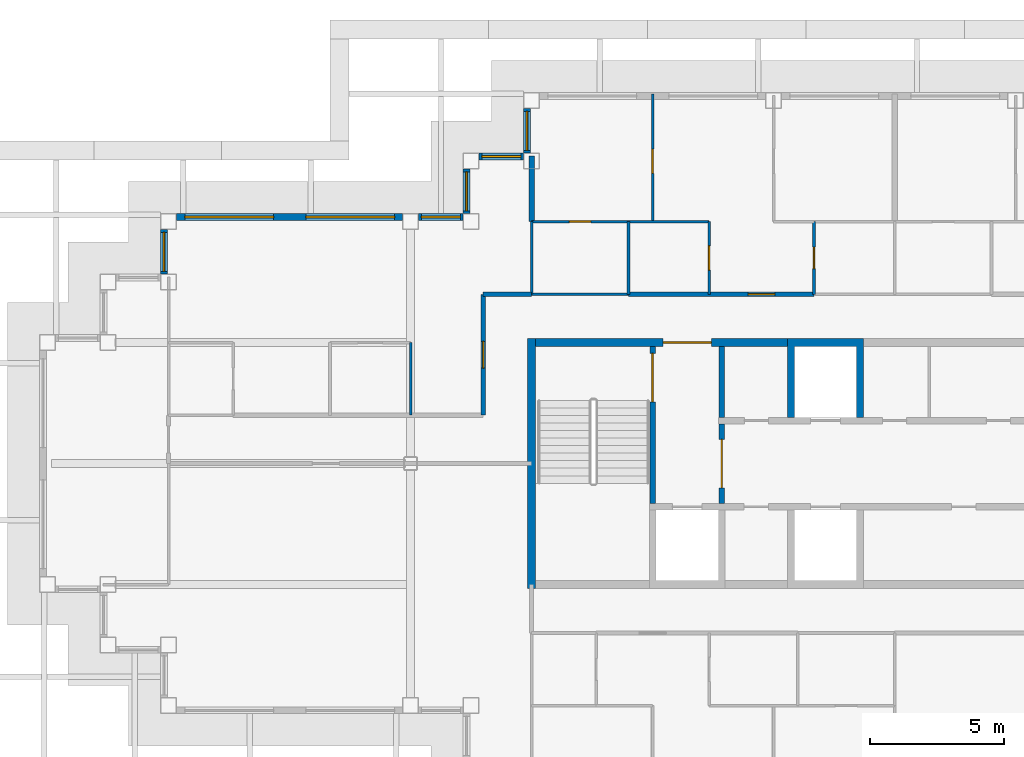
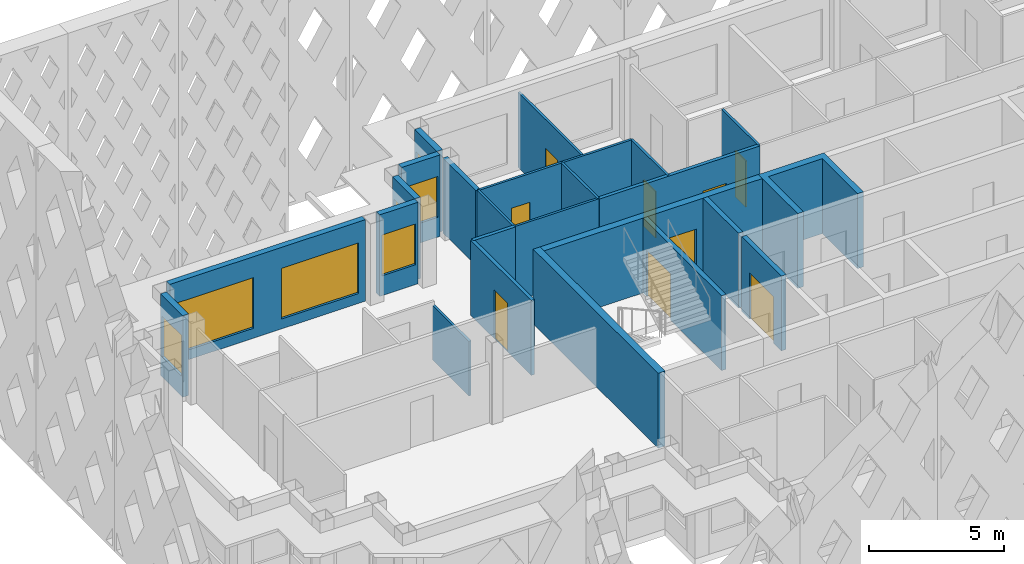
# One storey, part 3 of 15: 25 walls, 9 doors, 7 windows, 16 openings.
"""IFC4 building model written with IfcOpenShell, lengths in metres."""

from ifc_helpers import new_model, si_unit, direction, frame, frame_2d, origin, place, context, subcontext, project, spatial, polyline, rectangle, outline, extrude, material, layer, layer_set, type_object, element, fill, save


model = new_model("IFC4")

# Units and contexts
model_context = context("Model", 3, precision=1e-05, world=origin(), true_north=direction((0.0, 1.0)))
body_context = subcontext(model_context, "Body", "Model", "MODEL_VIEW")
ifc_project = project(units=[si_unit("LENGTHUNIT", "METRE"), si_unit("AREAUNIT", "SQUARE_METRE"), si_unit("VOLUMEUNIT", "CUBIC_METRE"), si_unit("PLANEANGLEUNIT", "RADIAN"), si_unit("MASSUNIT", "GRAM", prefix="KILO")], contexts=[model_context])

# Site, building, storey
site_placement = place(None, origin())
site = spatial("IfcSite", under=ifc_project, at=site_placement, CompositionType="ELEMENT")
building_placement = place(site_placement, origin())
building = spatial("IfcBuilding", under=site, at=building_placement, Name="Caravel Reach Hotel and Residences", CompositionType="ELEMENT")
storey_placement = place(building_placement, frame((0.0, 0.0, 237.89990234375)))
storey = spatial("IfcBuildingStorey", under=building, at=storey_placement, Name="L60", CompositionType="ELEMENT", Elevation=237.89990234375)

# Wall
ifc_material_1 = material(Name="Gypsum board on steel stud", Category="steel")
ifc_layer_1 = layer(ifc_material_1, 0.10009765625)
ifc_layer_set_1 = layer_set([ifc_layer_1], Name="Bathroom pod wall 100 mm")
wall_type_1 = type_object("IfcWallType", Name="Bathroom pod wall 100 mm", PredefinedType="PARTITIONING", material=ifc_layer_set_1)
wall_1_placement = place(storey_placement, frame((18.0, 33.300048828125, 0.0), z_axis=(0.0, 0.0, 1.0), x_axis=(1.0, 0.0, 0.0)))
element("IfcWall", 1, at=wall_1_placement, inside=storey, type_object=wall_type_1, Name="L60 wall w058", PredefinedType="PARTITIONING", context=body_context, shape_type="SweptSolid", body=[
    extrude(rectangle(XDim=3.60009765625, YDim=0.10009765625, at=frame_2d((1.800048828125, 0.0))), origin(), (0.0, 0.0, 1.0), 3.400146484375),
])

# Wall, opening, door
wall_2_placement = place(storey_placement, frame((18.0, 36.0, 0.0), z_axis=(0.0, 0.0, 1.0), x_axis=(1.0, 0.0, 0.0)))
wall_2 = element("IfcWall", 2, at=wall_2_placement, inside=storey, type_object=wall_type_1, Name="L60 wall w063", PredefinedType="PARTITIONING", context=body_context, shape_type="SweptSolid", body=[
    extrude(rectangle(XDim=3.60009765625, YDim=0.10009765625, at=frame_2d((1.800048828125, 0.0))), origin(), (0.0, 0.0, 1.0), 3.400146484375),
])
opening_1_placement = place(wall_2_placement, frame((1.39990234375, 0.0, 0.0)))
opening_1 = element("IfcOpeningElement", 3, at=opening_1_placement, cuts=wall_2, Name="Opening D60-017", PredefinedType="OPENING", context=body_context, shape_type="SweptSolid", body=[
    extrude(rectangle(XDim=0.800048828125, YDim=2.10009765625, at=frame_2d((0.39990234375, 1.050048828125))), frame((0.0, 0.06005859375, 0.0), z_axis=(0.0, -1.0, 0.0), x_axis=(1.0, 0.0, 0.0)), (0.0, 0.0, 1.0), 0.1201171875),
])
ifc_material_2 = material(Name="Timber and steel door leaf", Category="steel")
door_type_1 = type_object("IfcDoorType", Name="Bathroom door 800 x 2100", OperationType="SINGLE_SWING_LEFT", PredefinedType="DOOR", material=ifc_material_2)
door_1_placement = place(opening_1_placement, origin())
door_1 = element("IfcDoor", 4, at=door_1_placement, inside=storey, type_object=door_type_1, Name="door D60-017", OperationType="SINGLE_SWING_RIGHT", OverallHeight=2.10009765625, OverallWidth=0.800048828125, PredefinedType="DOOR", context=body_context, shape_type="SweptSolid", body=[
    extrude(rectangle(XDim=0.800048828125, YDim=2.10009765625, at=frame_2d((0.39990234375, 1.050048828125))), frame((0.0, 0.02490234375, 0.0), z_axis=(0.0, -1.0, 0.0), x_axis=(1.0, 0.0, 0.0)), (0.0, 0.0, 1.0), 0.050048828125),
])
fill(opening_1, door_1)

# Walls
wall_3_placement = place(storey_placement, frame((18.0, 33.301025390625, 0.0), z_axis=(0.0, 0.0, 1.0), x_axis=(0.0, 1.0, 0.0)))
element("IfcWall", 5, at=wall_3_placement, inside=storey, type_object=wall_type_1, Name="L60 wall w066", PredefinedType="PARTITIONING", context=body_context, shape_type="SweptSolid", body=[
    extrude(rectangle(XDim=2.698974609375, YDim=0.10009765625, at=frame_2d((1.349609375, 0.0))), origin(), (0.0, 0.0, 1.0), 3.400146484375),
])
wall_4_placement = place(storey_placement, frame((21.60009765625, 33.300048828125, 0.0), z_axis=(0.0, 0.0, 1.0), x_axis=(0.0, 1.0, 0.0)))
element("IfcWall", 6, at=wall_4_placement, inside=storey, type_object=wall_type_1, Name="L60 wall w069", PredefinedType="PARTITIONING", context=body_context, shape_type="SweptSolid", body=[
    extrude(rectangle(XDim=2.699951171875, YDim=0.10009765625, at=frame_2d((1.35009765625, 0.0))), origin(), (0.0, 0.0, 1.0), 3.400146484375),
])

# Wall, opening, door
wall_5_placement = place(storey_placement, frame((28.5, 33.300048828125, 0.0), z_axis=(0.0, 0.0, 1.0), x_axis=(0.0, 1.0, 0.0)))
wall_5 = element("IfcWall", 7, at=wall_5_placement, inside=storey, type_object=wall_type_1, Name="L60 wall w071", PredefinedType="PARTITIONING", context=body_context, shape_type="SweptSolid", body=[
    extrude(rectangle(XDim=2.699951171875, YDim=0.10009765625, at=frame_2d((1.35009765625, 0.0))), origin(), (0.0, 0.0, 1.0), 3.400146484375),
])
opening_2_placement = place(wall_5_placement, frame((0.949951171875, 0.0, 0.0)))
opening_2 = element("IfcOpeningElement", 8, at=opening_2_placement, cuts=wall_5, Name="Opening D60-019", PredefinedType="OPENING", context=body_context, shape_type="SweptSolid", body=[
    extrude(rectangle(XDim=0.800048828125, YDim=2.10009765625, at=frame_2d((0.39990234375, 1.050048828125))), frame((0.0, 0.06005859375, 0.0), z_axis=(0.0, -1.0, 0.0), x_axis=(1.0, 0.0, 0.0)), (0.0, 0.0, 1.0), 0.1201171875),
])
door_2_placement = place(opening_2_placement, origin())
door_2 = element("IfcDoor", 9, at=door_2_placement, inside=storey, type_object=door_type_1, Name="door D60-019", OperationType="SINGLE_SWING_RIGHT", OverallHeight=2.10009765625, OverallWidth=0.800048828125, PredefinedType="DOOR", context=body_context, shape_type="SweptSolid", body=[
    extrude(rectangle(XDim=0.800048828125, YDim=2.10009765625, at=frame_2d((0.39990234375, 1.050048828125))), frame((0.0, 0.02490234375, 0.0), z_axis=(0.0, -1.0, 0.0), x_axis=(1.0, 0.0, 0.0)), (0.0, 0.0, 1.0), 0.050048828125),
])
fill(opening_2, door_2)

# Wall
ifc_material_3 = material(Name="Autoclaved aerated block wall")
ifc_layer_2 = layer(ifc_material_3, 0.199951171875)
ifc_layer_set_2 = layer_set([ifc_layer_2], Name="Compartment wall 200 mm EI 120")
wall_type_2 = type_object("IfcWallType", Name="Compartment wall 200 mm EI 120", PredefinedType="PARTITIONING", material=ifc_layer_set_2)
wall_6_placement = place(storey_placement, frame((25.071533203125, 28.72509765625, 0.0), z_axis=(0.0, 0.0, 1.0), x_axis=(0.0, 1.0, 0.0)))
element("IfcWall", 10, at=wall_6_placement, inside=storey, type_object=wall_type_2, Name="L60 store partition", PredefinedType="PARTITIONING", context=body_context, shape_type="SweptSolid", body=[
    extrude(rectangle(XDim=2.625, YDim=0.199951171875, at=frame_2d((1.3125, 0.0))), origin(), (0.0, 0.0, 1.0), 3.400146484375),
])

# Wall, opening, door
ifc_material_4 = material(Name="Concrete C60", Category="concrete")
ifc_layer_3 = layer(ifc_material_4, 0.300048828125)
ifc_layer_set_3 = layer_set([ifc_layer_3], Name="Core wall 300 mm EI 120")
wall_type_3 = type_object("IfcWallType", Name="Core wall 300 mm EI 120", PredefinedType="SHEAR", material=ifc_layer_set_3)
wall_7_placement = place(storey_placement, frame((18.14990234375, 31.5, 0.0), z_axis=(0.0, 0.0, 1.0), x_axis=(1.0, 0.0, 0.0)))
wall_7 = element("IfcWall", 11, at=wall_7_placement, inside=storey, type_object=wall_type_3, Name="L60 core wall N1", PredefinedType="SHEAR", context=body_context, shape_type="SweptSolid", body=[
    extrude(rectangle(XDim=9.367919921875, YDim=0.300048828125, at=frame_2d((4.68408203125, 0.0))), origin(), (0.0, 0.0, 1.0), 3.400146484375),
])
opening_3_placement = place(wall_7_placement, frame((4.735595703125, 0.0, 0.0)))
opening_3 = element("IfcOpeningElement", 12, at=opening_3_placement, cuts=wall_7, Name="Opening D60-014", PredefinedType="OPENING", context=body_context, shape_type="SweptSolid", body=[
    extrude(rectangle(XDim=1.800048828125, YDim=2.10009765625, at=frame_2d((0.89990234375, 1.050048828125))), frame((0.0, 0.159912109375, 0.0), z_axis=(0.0, -1.0, 0.0), x_axis=(1.0, 0.0, 0.0)), (0.0, 0.0, 1.0), 0.320068359375),
])
ifc_material_5 = material(Name="Steel fire door leaf", Category="steel")
door_type_2 = type_object("IfcDoorType", Name="Fire lobby door pair 1800 x 2100 EI 90", OperationType="DOUBLE_DOOR_SINGLE_SWING", PredefinedType="DOOR", material=ifc_material_5)
door_3_placement = place(opening_3_placement, origin())
door_3 = element("IfcDoor", 13, at=door_3_placement, inside=storey, type_object=door_type_2, Name="lobby N door pair to corridor", OperationType="DOUBLE_DOOR_SINGLE_SWING", OverallHeight=2.10009765625, OverallWidth=1.800048828125, PredefinedType="DOOR", context=body_context, shape_type="SweptSolid", body=[
    extrude(rectangle(XDim=1.800048828125, YDim=2.10009765625, at=frame_2d((0.89990234375, 1.050048828125))), frame((0.0, 0.02490234375, 0.0), z_axis=(0.0, -1.0, 0.0), x_axis=(1.0, 0.0, 0.0)), (0.0, 0.0, 1.0), 0.050048828125),
])
fill(opening_3, door_3)

# Wall
wall_8_placement = place(storey_placement, frame((18.0, 22.35009765625, 0.0), z_axis=(0.0, 0.0, 1.0), x_axis=(0.0, 1.0, 0.0)))
element("IfcWall", 14, at=wall_8_placement, inside=storey, type_object=wall_type_3, Name="L60 core wall W", PredefinedType="SHEAR", context=body_context, shape_type="SweptSolid", body=[
    extrude(rectangle(XDim=9.2998046875, YDim=0.300048828125, at=frame_2d((4.64990234375, 0.0))), origin(), (0.0, 0.0, 1.0), 3.400146484375),
])

# Wall, opening, door
ifc_material_6 = material(Name="Gypsum board on steel stud, fire-rated", Category="steel")
ifc_layer_4 = layer(ifc_material_6, 0.14990234375)
ifc_layer_set_4 = layer_set([ifc_layer_4], Name="Corridor wall 150 mm EI 60")
wall_type_4 = type_object("IfcWallType", Name="Corridor wall 150 mm EI 60", PredefinedType="PARTITIONING", material=ifc_layer_set_4)
wall_9_placement = place(storey_placement, frame((21.60009765625, 33.300048828125, 0.0), z_axis=(0.0, 0.0, 1.0), x_axis=(1.0, 0.0, 0.0)))
wall_9 = element("IfcWall", 15, at=wall_9_placement, inside=storey, type_object=wall_type_4, Name="L60 wall w011", PredefinedType="PARTITIONING", context=body_context, shape_type="SweptSolid", body=[
    extrude(rectangle(XDim=6.89990234375, YDim=0.14990234375, at=frame_2d((3.449951171875, 0.0))), origin(), (0.0, 0.0, 1.0), 3.400146484375),
])
opening_4_placement = place(wall_9_placement, frame((4.449951171875, 0.0, 0.0)))
opening_4 = element("IfcOpeningElement", 16, at=opening_4_placement, cuts=wall_9, Name="Opening D60-016", PredefinedType="OPENING", context=body_context, shape_type="SweptSolid", body=[
    extrude(rectangle(XDim=1.0, YDim=2.199951171875, at=frame_2d((0.5, 1.10009765625))), frame((0.0, 0.0849609375, 0.0), z_axis=(0.0, -1.0, 0.0), x_axis=(1.0, 0.0, 0.0)), (0.0, 0.0, 1.0), 0.169921875),
])
ifc_material_7 = material(Name="Steel fire door leaf", Category="steel")
door_type_3 = type_object("IfcDoorType", Name="Flat entrance door 1000 x 2200 EI 60", OperationType="SINGLE_SWING_LEFT", PredefinedType="DOOR", material=ifc_material_7)
door_4_placement = place(opening_4_placement, origin())
door_4 = element("IfcDoor", 17, at=door_4_placement, inside=storey, type_object=door_type_3, Name="door D60-016", OperationType="SINGLE_SWING_RIGHT", OverallHeight=2.199951171875, OverallWidth=1.0, PredefinedType="DOOR", context=body_context, shape_type="SweptSolid", body=[
    extrude(rectangle(XDim=1.0, YDim=2.199951171875, at=frame_2d((0.5, 1.10009765625))), frame((0.0, 0.02490234375, 0.0), z_axis=(0.0, -1.0, 0.0), x_axis=(1.0, 0.0, 0.0)), (0.0, 0.0, 1.0), 0.050048828125),
])
fill(opening_4, door_4)

# Wall
wall_10_placement = place(storey_placement, frame((16.199951171875, 33.300048828125, 0.0), z_axis=(0.0, 0.0, 1.0), x_axis=(1.0, 0.0, 0.0)))
element("IfcWall", 18, at=wall_10_placement, inside=storey, type_object=wall_type_4, Name="L60 wall w014", PredefinedType="PARTITIONING", context=body_context, shape_type="SweptSolid", body=[
    extrude(rectangle(XDim=1.799072265625, YDim=0.14990234375, at=frame_2d((0.8994140625, 0.0))), origin(), (0.0, 0.0, 1.0), 3.400146484375),
])

# Wall, opening, door
wall_11_placement = place(storey_placement, frame((16.199951171875, 28.801025390625, 0.0), z_axis=(0.0, 0.0, 1.0), x_axis=(0.0, 1.0, 0.0)))
wall_11 = element("IfcWall", 19, at=wall_11_placement, inside=storey, type_object=wall_type_4, Name="L60 wall w015", PredefinedType="PARTITIONING", context=body_context, shape_type="SweptSolid", body=[
    extrude(rectangle(XDim=4.4990234375, YDim=0.14990234375, at=frame_2d((2.24951171875, 0.0))), origin(), (0.0, 0.0, 1.0), 3.400146484375),
])
opening_5_placement = place(wall_11_placement, frame((1.74951171875, 0.0, 0.0)))
opening_5 = element("IfcOpeningElement", 20, at=opening_5_placement, cuts=wall_11, Name="Opening D60-028", PredefinedType="OPENING", context=body_context, shape_type="SweptSolid", body=[
    extrude(rectangle(XDim=1.0, YDim=2.199951171875, at=frame_2d((0.5, 1.10009765625))), frame((0.0, 0.0849609375, 0.0), z_axis=(0.0, -1.0, 0.0), x_axis=(1.0, 0.0, 0.0)), (0.0, 0.0, 1.0), 0.169921875),
])
door_5_placement = place(opening_5_placement, origin())
door_5 = element("IfcDoor", 21, at=door_5_placement, inside=storey, type_object=door_type_3, Name="door D60-028", OperationType="SINGLE_SWING_RIGHT", OverallHeight=2.199951171875, OverallWidth=1.0, PredefinedType="DOOR", context=body_context, shape_type="SweptSolid", body=[
    extrude(rectangle(XDim=1.0, YDim=2.199951171875, at=frame_2d((0.5, 1.10009765625))), frame((0.0, 0.02490234375, 0.0), z_axis=(0.0, -1.0, 0.0), x_axis=(1.0, 0.0, 0.0)), (0.0, 0.0, 1.0), 0.050048828125),
])
fill(opening_5, door_5)

# Wall, opening, window
ifc_material_8 = material(Name="Insulated rainscreen wall, aluminium cladding", Category="aluminium")
ifc_layer_5 = layer(ifc_material_8, 0.25)
ifc_layer_set_5 = layer_set([ifc_layer_5], Name="EW1 Tower rainscreen wall")
wall_type_5 = type_object("IfcWallType", Name="EW1 Tower rainscreen wall", PredefinedType="SOLIDWALL", material=ifc_layer_set_5)
wall_12_placement = place(storey_placement, frame((17.824951171875, 40.199951171875, 0.0), z_axis=(0.0, 0.0, 1.0), x_axis=(0.0, -1.0, 0.0)))
wall_12 = element("IfcWall", 22, at=wall_12_placement, inside=storey, type_object=wall_type_5, Name="External wall L60 W15.1", PredefinedType="SOLIDWALL", context=body_context, shape_type="SweptSolid", body=[
    extrude(rectangle(XDim=1.64990234375, YDim=0.25, at=frame_2d((0.824951171875, 0.0))), origin(), (0.0, 0.0, 1.0), 3.7001953125),
])
opening_6_placement = place(wall_12_placement, frame((0.10009765625, 0.0, 0.89990234375)))
opening_6 = element("IfcOpeningElement", 23, at=opening_6_placement, cuts=wall_12, Name="Opening WN25", PredefinedType="OPENING", context=body_context, shape_type="SweptSolid", body=[
    extrude(rectangle(XDim=1.449951171875, YDim=1.85009765625, at=frame_2d((0.72509765625, 0.925048828125))), frame((0.0, 0.135009765625, 0.0), z_axis=(0.0, -1.0, 0.0), x_axis=(1.0, 0.0, 0.0)), (0.0, 0.0, 1.0), 0.27001953125),
])
ifc_material_9 = material(Name="Dark low-e glazing in black aluminium frame", Category="aluminium")
window_type_1 = type_object("IfcWindowType", Name="Residence bedroom window 1450 x 1850", PartitioningType="SINGLE_PANEL", PredefinedType="WINDOW", material=ifc_material_9)
window_1_placement = place(opening_6_placement, origin())
window_1 = element("IfcWindow", 24, at=window_1_placement, inside=storey, type_object=window_type_1, Name="Window L60 W15.1.1", OverallHeight=1.85009765625, OverallWidth=1.449951171875, PartitioningType="SINGLE_PANEL", PredefinedType="WINDOW", context=body_context, shape_type="SweptSolid", body=[
    extrude(rectangle(XDim=1.449951171875, YDim=1.85009765625, at=frame_2d((0.72509765625, 0.925048828125))), frame((0.0, 0.030029296875, 0.0), z_axis=(0.0, -1.0, 0.0), x_axis=(1.0, 0.0, 0.0)), (0.0, 0.0, 1.0), 0.06005859375),
])
fill(opening_6, window_1)

wall_13_placement = place(storey_placement, frame((17.699951171875, 38.425048828125, 0.0), z_axis=(0.0, 0.0, 1.0), x_axis=(-1.0, 0.0, 0.0)))
wall_13 = element("IfcWall", 25, at=wall_13_placement, inside=storey, type_object=wall_type_5, Name="External wall L60 N16.1", PredefinedType="SOLIDWALL", context=body_context, shape_type="SweptSolid", body=[
    extrude(rectangle(XDim=1.64990234375, YDim=0.25, at=frame_2d((0.824951171875, 0.0))), origin(), (0.0, 0.0, 1.0), 3.7001953125),
])
opening_7_placement = place(wall_13_placement, frame((0.10009765625, 0.0, 0.89990234375)))
opening_7 = element("IfcOpeningElement", 26, at=opening_7_placement, cuts=wall_13, Name="Opening WN25", PredefinedType="OPENING", context=body_context, shape_type="SweptSolid", body=[
    extrude(rectangle(XDim=1.449951171875, YDim=1.85009765625, at=frame_2d((0.72509765625, 0.925048828125))), frame((0.0, 0.135009765625, 0.0), z_axis=(0.0, -1.0, 0.0), x_axis=(1.0, 0.0, 0.0)), (0.0, 0.0, 1.0), 0.27001953125),
])
window_2_placement = place(opening_7_placement, origin())
window_2 = element("IfcWindow", 27, at=window_2_placement, inside=storey, type_object=window_type_1, Name="Window L60 N16.1.1", OverallHeight=1.85009765625, OverallWidth=1.449951171875, PartitioningType="SINGLE_PANEL", PredefinedType="WINDOW", context=body_context, shape_type="SweptSolid", body=[
    extrude(rectangle(XDim=1.449951171875, YDim=1.85009765625, at=frame_2d((0.72509765625, 0.925048828125))), frame((0.0, 0.030029296875, 0.0), z_axis=(0.0, -1.0, 0.0), x_axis=(1.0, 0.0, 0.0)), (0.0, 0.0, 1.0), 0.06005859375),
])
fill(opening_7, window_2)

wall_14_placement = place(storey_placement, frame((15.574951171875, 37.949951171875, 0.0), z_axis=(0.0, 0.0, 1.0), x_axis=(0.0, -1.0, 0.0)))
wall_14 = element("IfcWall", 28, at=wall_14_placement, inside=storey, type_object=wall_type_5, Name="External wall L60 W17.1", PredefinedType="SOLIDWALL", context=body_context, shape_type="SweptSolid", body=[
    extrude(rectangle(XDim=1.64990234375, YDim=0.25, at=frame_2d((0.824951171875, 0.0))), origin(), (0.0, 0.0, 1.0), 3.7001953125),
])
opening_8_placement = place(wall_14_placement, frame((0.10009765625, 0.0, 0.89990234375)))
opening_8 = element("IfcOpeningElement", 29, at=opening_8_placement, cuts=wall_14, Name="Opening WN25", PredefinedType="OPENING", context=body_context, shape_type="SweptSolid", body=[
    extrude(rectangle(XDim=1.449951171875, YDim=1.85009765625, at=frame_2d((0.72509765625, 0.925048828125))), frame((0.0, 0.135009765625, 0.0), z_axis=(0.0, -1.0, 0.0), x_axis=(1.0, 0.0, 0.0)), (0.0, 0.0, 1.0), 0.27001953125),
])
window_3_placement = place(opening_8_placement, origin())
window_3 = element("IfcWindow", 30, at=window_3_placement, inside=storey, type_object=window_type_1, Name="Window L60 W17.1.1", OverallHeight=1.85009765625, OverallWidth=1.449951171875, PartitioningType="SINGLE_PANEL", PredefinedType="WINDOW", context=body_context, shape_type="SweptSolid", body=[
    extrude(rectangle(XDim=1.449951171875, YDim=1.85009765625, at=frame_2d((0.72509765625, 0.925048828125))), frame((0.0, 0.030029296875, 0.0), z_axis=(0.0, -1.0, 0.0), x_axis=(1.0, 0.0, 0.0)), (0.0, 0.0, 1.0), 0.06005859375),
])
fill(opening_8, window_3)

wall_15_placement = place(storey_placement, frame((15.449951171875, 36.175048828125, 0.0), z_axis=(0.0, 0.0, 1.0), x_axis=(-1.0, 0.0, 0.0)))
wall_15 = element("IfcWall", 31, at=wall_15_placement, inside=storey, type_object=wall_type_5, Name="External wall L60 N18.1", PredefinedType="SOLIDWALL", context=body_context, shape_type="SweptSolid", body=[
    extrude(rectangle(XDim=1.64990234375, YDim=0.25, at=frame_2d((0.824951171875, 0.0))), origin(), (0.0, 0.0, 1.0), 3.7001953125),
])
opening_9_placement = place(wall_15_placement, frame((0.10009765625, 0.0, 0.89990234375)))
opening_9 = element("IfcOpeningElement", 32, at=opening_9_placement, cuts=wall_15, Name="Opening WN25", PredefinedType="OPENING", context=body_context, shape_type="SweptSolid", body=[
    extrude(rectangle(XDim=1.449951171875, YDim=1.85009765625, at=frame_2d((0.72509765625, 0.925048828125))), frame((0.0, 0.135009765625, 0.0), z_axis=(0.0, -1.0, 0.0), x_axis=(1.0, 0.0, 0.0)), (0.0, 0.0, 1.0), 0.27001953125),
])
window_4_placement = place(opening_9_placement, origin())
window_4 = element("IfcWindow", 33, at=window_4_placement, inside=storey, type_object=window_type_1, Name="Window L60 N18.1.1", OverallHeight=1.85009765625, OverallWidth=1.449951171875, PartitioningType="SINGLE_PANEL", PredefinedType="WINDOW", context=body_context, shape_type="SweptSolid", body=[
    extrude(rectangle(XDim=1.449951171875, YDim=1.85009765625, at=frame_2d((0.72509765625, 0.925048828125))), frame((0.0, 0.030029296875, 0.0), z_axis=(0.0, -1.0, 0.0), x_axis=(1.0, 0.0, 0.0)), (0.0, 0.0, 1.0), 0.06005859375),
])
fill(opening_9, window_4)

# Wall, openings, windows
wall_16_placement = place(storey_placement, frame((13.199951171875, 36.175048828125, 0.0), z_axis=(0.0, 0.0, 1.0), x_axis=(-1.0, 0.0, 0.0)))
wall_16 = element("IfcWall", 34, at=wall_16_placement, inside=storey, type_object=wall_type_5, Name="External wall L60 N18.2", PredefinedType="SOLIDWALL", context=body_context, shape_type="SweptSolid", body=[
    extrude(rectangle(XDim=8.39990234375, YDim=0.25, at=frame_2d((4.199951171875, 0.0))), origin(), (0.0, 0.0, 1.0), 3.7001953125),
])
opening_10_placement = place(wall_16_placement, frame((0.300048828125, 0.0, 0.449951171875)))
opening_10 = element("IfcOpeningElement", 35, at=opening_10_placement, cuts=wall_16, Name="Opening WN15", PredefinedType="OPENING", context=body_context, shape_type="SweptSolid", body=[
    extrude(rectangle(XDim=3.300048828125, YDim=2.300048828125, at=frame_2d((1.64990234375, 1.14990234375))), frame((0.0, 0.135009765625, 0.0), z_axis=(0.0, -1.0, 0.0), x_axis=(1.0, 0.0, 0.0)), (0.0, 0.0, 1.0), 0.27001953125),
])
opening_11_placement = place(wall_16_placement, frame((4.800048828125, 0.0, 0.449951171875)))
opening_11 = element("IfcOpeningElement", 36, at=opening_11_placement, cuts=wall_16, Name="Opening WN15", PredefinedType="OPENING", context=body_context, shape_type="SweptSolid", body=[
    extrude(rectangle(XDim=3.300048828125, YDim=2.300048828125, at=frame_2d((1.64990234375, 1.14990234375))), frame((0.0, 0.135009765625, 0.0), z_axis=(0.0, -1.0, 0.0), x_axis=(1.0, 0.0, 0.0)), (0.0, 0.0, 1.0), 0.27001953125),
])
ifc_material_10 = material(Name="Dark low-e glazing in black aluminium frame", Category="aluminium")
window_type_2 = type_object("IfcWindowType", Name="Residence living window 3300 x 2300", PartitioningType="SINGLE_PANEL", PredefinedType="WINDOW", material=ifc_material_10)
window_5_placement = place(opening_10_placement, origin())
window_5 = element("IfcWindow", 37, at=window_5_placement, inside=storey, type_object=window_type_2, Name="Window L60 N18.2.1", OverallHeight=2.300048828125, OverallWidth=3.300048828125, PartitioningType="SINGLE_PANEL", PredefinedType="WINDOW", context=body_context, shape_type="SweptSolid", body=[
    extrude(rectangle(XDim=3.300048828125, YDim=2.300048828125, at=frame_2d((1.64990234375, 1.14990234375))), frame((0.0, 0.030029296875, 0.0), z_axis=(0.0, -1.0, 0.0), x_axis=(1.0, 0.0, 0.0)), (0.0, 0.0, 1.0), 0.06005859375),
])
fill(opening_10, window_5)
window_6_placement = place(opening_11_placement, origin())
window_6 = element("IfcWindow", 38, at=window_6_placement, inside=storey, type_object=window_type_2, Name="Window L60 N18.2.2", OverallHeight=2.300048828125, OverallWidth=3.300048828125, PartitioningType="SINGLE_PANEL", PredefinedType="WINDOW", context=body_context, shape_type="SweptSolid", body=[
    extrude(rectangle(XDim=3.300048828125, YDim=2.300048828125, at=frame_2d((1.64990234375, 1.14990234375))), frame((0.0, 0.030029296875, 0.0), z_axis=(0.0, -1.0, 0.0), x_axis=(1.0, 0.0, 0.0)), (0.0, 0.0, 1.0), 0.06005859375),
])
fill(opening_11, window_6)

# Wall, opening, window
wall_17_placement = place(storey_placement, frame((4.324951171875, 35.699951171875, 0.0), z_axis=(0.0, 0.0, 1.0), x_axis=(0.0, -1.0, 0.0)))
wall_17 = element("IfcWall", 39, at=wall_17_placement, inside=storey, type_object=wall_type_5, Name="External wall L60 W19.1", PredefinedType="SOLIDWALL", context=body_context, shape_type="SweptSolid", body=[
    extrude(rectangle(XDim=1.64990234375, YDim=0.25, at=frame_2d((0.824951171875, 0.0))), origin(), (0.0, 0.0, 1.0), 3.7001953125),
])
opening_12_placement = place(wall_17_placement, frame((0.10009765625, 0.0, 0.89990234375)))
opening_12 = element("IfcOpeningElement", 40, at=opening_12_placement, cuts=wall_17, Name="Opening WN25", PredefinedType="OPENING", context=body_context, shape_type="SweptSolid", body=[
    extrude(rectangle(XDim=1.449951171875, YDim=1.85009765625, at=frame_2d((0.72509765625, 0.925048828125))), frame((0.0, 0.135009765625, 0.0), z_axis=(0.0, -1.0, 0.0), x_axis=(1.0, 0.0, 0.0)), (0.0, 0.0, 1.0), 0.27001953125),
])
window_7_placement = place(opening_12_placement, origin())
window_7 = element("IfcWindow", 41, at=window_7_placement, inside=storey, type_object=window_type_1, Name="Window L60 W19.1.1", OverallHeight=1.85009765625, OverallWidth=1.449951171875, PartitioningType="SINGLE_PANEL", PredefinedType="WINDOW", context=body_context, shape_type="SweptSolid", body=[
    extrude(rectangle(XDim=1.449951171875, YDim=1.85009765625, at=frame_2d((0.72509765625, 0.925048828125))), frame((0.0, 0.030029296875, 0.0), z_axis=(0.0, -1.0, 0.0), x_axis=(1.0, 0.0, 0.0)), (0.0, 0.0, 1.0), 0.06005859375),
])
fill(opening_12, window_7)

# Wall, opening, door
ifc_material_11 = material(Name="Autoclaved aerated block wall")
ifc_layer_6 = layer(ifc_material_11, 0.199951171875)
ifc_layer_set_6 = layer_set([ifc_layer_6], Name="Fire lobby wall 200 mm EI 120")
wall_type_6 = type_object("IfcWallType", Name="Fire lobby wall 200 mm EI 120", PredefinedType="PARTITIONING", material=ifc_layer_set_6)
wall_18_placement = place(storey_placement, frame((25.071533203125, 25.52490234375, 0.0), z_axis=(0.0, 0.0, 1.0), x_axis=(0.0, 1.0, 0.0)))
wall_18 = element("IfcWall", 42, at=wall_18_placement, inside=storey, type_object=wall_type_6, Name="L60 lobby W wall", PredefinedType="PARTITIONING", context=body_context, shape_type="SweptSolid", body=[
    extrude(rectangle(XDim=2.9501953125, YDim=0.199951171875, at=frame_2d((1.47509765625, 0.0))), origin(), (0.0, 0.0, 1.0), 3.400146484375),
])
opening_13_placement = place(wall_18_placement, frame((0.574951171875, 0.0, 0.0)))
opening_13 = element("IfcOpeningElement", 43, at=opening_13_placement, cuts=wall_18, Name="Opening D60-012", PredefinedType="OPENING", context=body_context, shape_type="SweptSolid", body=[
    extrude(rectangle(XDim=1.800048828125, YDim=2.10009765625, at=frame_2d((0.89990234375, 1.050048828125))), frame((0.0, 0.10986328125, 0.0), z_axis=(0.0, -1.0, 0.0), x_axis=(1.0, 0.0, 0.0)), (0.0, 0.0, 1.0), 0.219970703125),
])
door_6_placement = place(opening_13_placement, origin())
door_6 = element("IfcDoor", 44, at=door_6_placement, inside=storey, type_object=door_type_2, Name="lobby W door pair", OperationType="DOUBLE_DOOR_SINGLE_SWING", OverallHeight=2.10009765625, OverallWidth=1.800048828125, PredefinedType="DOOR", context=body_context, shape_type="SweptSolid", body=[
    extrude(rectangle(XDim=1.800048828125, YDim=2.10009765625, at=frame_2d((0.89990234375, 1.050048828125))), frame((0.0, 0.02490234375, 0.0), z_axis=(0.0, -1.0, 0.0), x_axis=(1.0, 0.0, 0.0)), (0.0, 0.0, 1.0), 0.050048828125),
])
fill(opening_13, door_6)

# Walls
ifc_material_12 = material(Name="Gypsum board on steel stud", Category="steel")
ifc_layer_7 = layer(ifc_material_12, 0.10009765625)
ifc_layer_set_7 = layer_set([ifc_layer_7], Name="Partition 100 mm")
wall_type_7 = type_object("IfcWallType", Name="Partition 100 mm", PredefinedType="PARTITIONING", material=ifc_layer_set_7)
wall_19_placement = place(storey_placement, frame((21.60009765625, 36.0, 0.0), z_axis=(0.0, 0.0, 1.0), x_axis=(1.0, 0.0, 0.0)))
element("IfcWall", 45, at=wall_19_placement, inside=storey, type_object=wall_type_7, Name="L60 wall w026", PredefinedType="PARTITIONING", context=body_context, shape_type="SweptSolid", body=[
    extrude(rectangle(XDim=3.0, YDim=0.10009765625, at=frame_2d((1.5, 0.0))), origin(), (0.0, 0.0, 1.0), 3.400146484375),
])
wall_20_placement = place(storey_placement, frame((13.5, 28.801025390625, 0.0), z_axis=(0.0, 0.0, 1.0), x_axis=(0.0, 1.0, 0.0)))
element("IfcWall", 46, at=wall_20_placement, inside=storey, type_object=wall_type_7, Name="L60 wall w033", PredefinedType="PARTITIONING", context=body_context, shape_type="SweptSolid", body=[
    extrude(rectangle(XDim=2.698974609375, YDim=0.10009765625, at=frame_2d((1.349609375, 0.0))), origin(), (0.0, 0.0, 1.0), 2.47998046875),
])

# Wall, opening, door
wall_21_placement = place(storey_placement, frame((22.5, 36.0, 0.0), z_axis=(0.0, 0.0, 1.0), x_axis=(0.0, 1.0, 0.0)))
wall_21 = element("IfcWall", 47, at=wall_21_placement, inside=storey, type_object=wall_type_7, Name="L60 wall w035", PredefinedType="PARTITIONING", context=body_context, shape_type="SweptSolid", body=[
    extrude(rectangle(XDim=4.739990234375, YDim=0.10009765625, at=frame_2d((2.3701171875, 0.0))), origin(), (0.0, 0.0, 1.0), 3.400146484375),
])
opening_14_placement = place(wall_21_placement, frame((1.800048828125, 0.0, 0.0)))
opening_14 = element("IfcOpeningElement", 48, at=opening_14_placement, cuts=wall_21, Name="Opening D60-020", PredefinedType="OPENING", context=body_context, shape_type="SweptSolid", body=[
    extrude(rectangle(XDim=0.89990234375, YDim=2.10009765625, at=frame_2d((0.449951171875, 1.050048828125))), frame((0.0, 0.06005859375, 0.0), z_axis=(0.0, -1.0, 0.0), x_axis=(1.0, 0.0, 0.0)), (0.0, 0.0, 1.0), 0.1201171875),
])
ifc_material_13 = material(Name="Timber and steel door leaf", Category="steel")
door_type_4 = type_object("IfcDoorType", Name="Door 900 x 2100 timber", OperationType="SINGLE_SWING_LEFT", PredefinedType="DOOR", material=ifc_material_13)
door_7_placement = place(opening_14_placement, origin())
door_7 = element("IfcDoor", 49, at=door_7_placement, inside=storey, type_object=door_type_4, Name="door D60-020", OperationType="SINGLE_SWING_LEFT", OverallHeight=2.10009765625, OverallWidth=0.89990234375, PredefinedType="DOOR", context=body_context, shape_type="SweptSolid", body=[
    extrude(rectangle(XDim=0.89990234375, YDim=2.10009765625, at=frame_2d((0.449951171875, 1.050048828125))), frame((0.0, 0.02490234375, 0.0), z_axis=(0.0, -1.0, 0.0), x_axis=(1.0, 0.0, 0.0)), (0.0, 0.0, 1.0), 0.050048828125),
])
fill(opening_14, door_7)

wall_22_placement = place(storey_placement, frame((24.60009765625, 33.300048828125, 0.0), z_axis=(0.0, 0.0, 1.0), x_axis=(0.0, 1.0, 0.0)))
wall_22 = element("IfcWall", 50, at=wall_22_placement, inside=storey, type_object=wall_type_7, Name="L60 wall w037", PredefinedType="PARTITIONING", context=body_context, shape_type="SweptSolid", body=[
    extrude(rectangle(XDim=2.699951171875, YDim=0.10009765625, at=frame_2d((1.35009765625, 0.0))), origin(), (0.0, 0.0, 1.0), 3.400146484375),
])
opening_15_placement = place(wall_22_placement, frame((0.89990234375, 0.0, 0.0)))
opening_15 = element("IfcOpeningElement", 51, at=opening_15_placement, cuts=wall_22, Name="Opening D60-018", PredefinedType="OPENING", context=body_context, shape_type="SweptSolid", body=[
    extrude(rectangle(XDim=0.89990234375, YDim=2.10009765625, at=frame_2d((0.449951171875, 1.050048828125))), frame((0.0, 0.06005859375, 0.0), z_axis=(0.0, -1.0, 0.0), x_axis=(1.0, 0.0, 0.0)), (0.0, 0.0, 1.0), 0.1201171875),
])
door_8_placement = place(opening_15_placement, origin())
door_8 = element("IfcDoor", 52, at=door_8_placement, inside=storey, type_object=door_type_4, Name="door D60-018", OperationType="SINGLE_SWING_RIGHT", OverallHeight=2.10009765625, OverallWidth=0.89990234375, PredefinedType="DOOR", context=body_context, shape_type="SweptSolid", body=[
    extrude(rectangle(XDim=0.89990234375, YDim=2.10009765625, at=frame_2d((0.449951171875, 1.050048828125))), frame((0.0, 0.02490234375, 0.0), z_axis=(0.0, -1.0, 0.0), x_axis=(1.0, 0.0, 0.0)), (0.0, 0.0, 1.0), 0.050048828125),
])
fill(opening_15, door_8)

# Walls
ifc_material_14 = material(Name="Autoclaved aerated block wall")
ifc_layer_8 = layer(ifc_material_14, 0.199951171875)
ifc_layer_set_8 = layer_set([ifc_layer_8], Name="Party wall 200 mm EI 60")
wall_type_8 = type_object("IfcWallType", Name="Party wall 200 mm EI 60", PredefinedType="PARTITIONING", material=ifc_layer_set_8)
wall_23_placement = place(storey_placement, frame((18.0, 36.0, 0.0), z_axis=(0.0, 0.0, 1.0), x_axis=(0.0, 1.0, 0.0)))
element("IfcWall", 53, at=wall_23_placement, inside=storey, type_object=wall_type_8, Name="L60 wall w048", PredefinedType="PARTITIONING", context=body_context, shape_type="SweptSolid", body=[
    extrude(rectangle(XDim=2.43994140625, YDim=0.199951171875, at=frame_2d((1.219970703125, 0.0))), origin(), (0.0, 0.0, 1.0), 3.400146484375),
])
ifc_material_15 = material(Name="Concrete C60", Category="concrete")
ifc_layer_9 = layer(ifc_material_15, 0.25)
ifc_layer_set_9 = layer_set([ifc_layer_9], Name="Shaft wall 250 mm EI 120")
wall_type_9 = type_object("IfcWallType", Name="Shaft wall 250 mm EI 120", PredefinedType="SHEAR", material=ifc_layer_set_9)
wall_24_placement = place(storey_placement, origin())
element("IfcWall", 54, at=wall_24_placement, inside=storey, type_object=wall_type_9, Name="L60 lift shaft wall N1", PredefinedType="SHEAR", context=body_context, shape_type="SweptSolid", body=[
    extrude(outline(polyline([(27.517822265625, 28.72509765625), (27.767822265625, 28.72509765625), (27.767822265625, 31.35009765625), (30.08935546875, 31.35009765625), (30.08935546875, 28.72509765625), (30.33935546875, 28.72509765625), (30.33935546875, 31.64990234375), (27.517822265625, 31.64990234375), (27.517822265625, 28.72509765625)])), origin(), (0.0, 0.0, 1.0), 3.400146484375),
])

# Wall, opening, door
ifc_material_16 = material(Name="Concrete C60", Category="concrete")
ifc_layer_10 = layer(ifc_material_16, 0.199951171875)
ifc_layer_set_10 = layer_set([ifc_layer_10], Name="Stair enclosure wall 200 mm EI 120")
wall_type_10 = type_object("IfcWallType", Name="Stair enclosure wall 200 mm EI 120", PredefinedType="SHEAR", material=ifc_layer_set_10)
wall_25_placement = place(storey_placement, frame((22.5, 31.35009765625, 0.0), z_axis=(0.0, 0.0, 1.0), x_axis=(0.0, -1.0, 0.0)))
wall_25 = element("IfcWall", 55, at=wall_25_placement, inside=storey, type_object=wall_type_10, Name="L60 stair A wall", PredefinedType="SHEAR", context=body_context, shape_type="SweptSolid", body=[
    extrude(rectangle(XDim=5.8251953125, YDim=0.199951171875, at=frame_2d((2.91259765625, 0.0))), origin(), (0.0, 0.0, 1.0), 3.400146484375),
])
opening_16_placement = place(wall_25_placement, frame((0.25, 0.0, 0.0)))
opening_16 = element("IfcOpeningElement", 56, at=opening_16_placement, cuts=wall_25, Name="Opening D60-010", PredefinedType="OPENING", context=body_context, shape_type="SweptSolid", body=[
    extrude(rectangle(XDim=1.800048828125, YDim=2.10009765625, at=frame_2d((0.89990234375, 1.050048828125))), frame((0.0, 0.10986328125, 0.0), z_axis=(0.0, -1.0, 0.0), x_axis=(1.0, 0.0, 0.0)), (0.0, 0.0, 1.0), 0.219970703125),
])
ifc_material_17 = material(Name="Steel fire door leaf", Category="steel")
door_type_5 = type_object("IfcDoorType", Name="Stair door pair 1800 x 2100 EI 90", OperationType="DOUBLE_DOOR_SINGLE_SWING", PredefinedType="DOOR", material=ifc_material_17)
door_9_placement = place(opening_16_placement, origin())
door_9 = element("IfcDoor", 57, at=door_9_placement, inside=storey, type_object=door_type_5, Name="stair A door pair", OperationType="DOUBLE_DOOR_SINGLE_SWING", OverallHeight=2.10009765625, OverallWidth=1.800048828125, PredefinedType="DOOR", context=body_context, shape_type="SweptSolid", body=[
    extrude(rectangle(XDim=1.800048828125, YDim=2.10009765625, at=frame_2d((0.89990234375, 1.050048828125))), frame((0.0, 0.02490234375, 0.0), z_axis=(0.0, -1.0, 0.0), x_axis=(1.0, 0.0, 0.0)), (0.0, 0.0, 1.0), 0.050048828125),
])
fill(opening_16, door_9)

save(model, "model.ifc")
